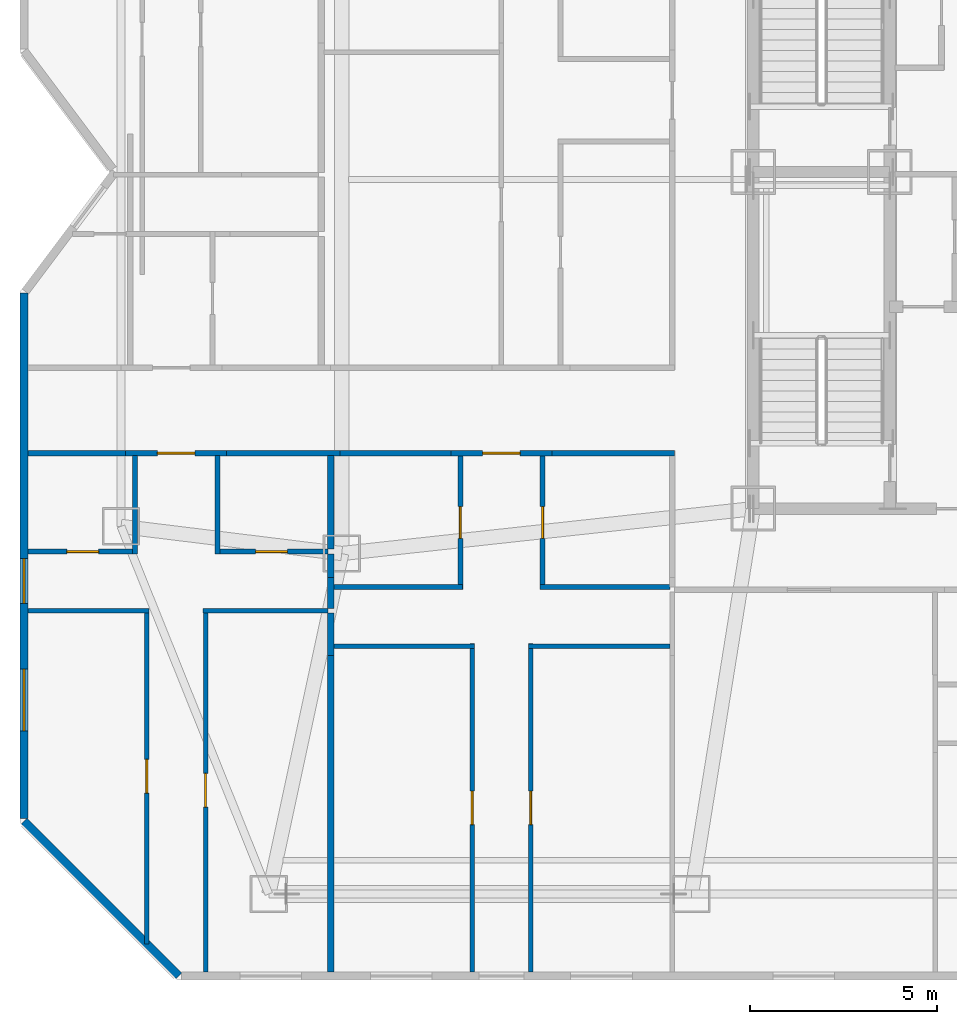
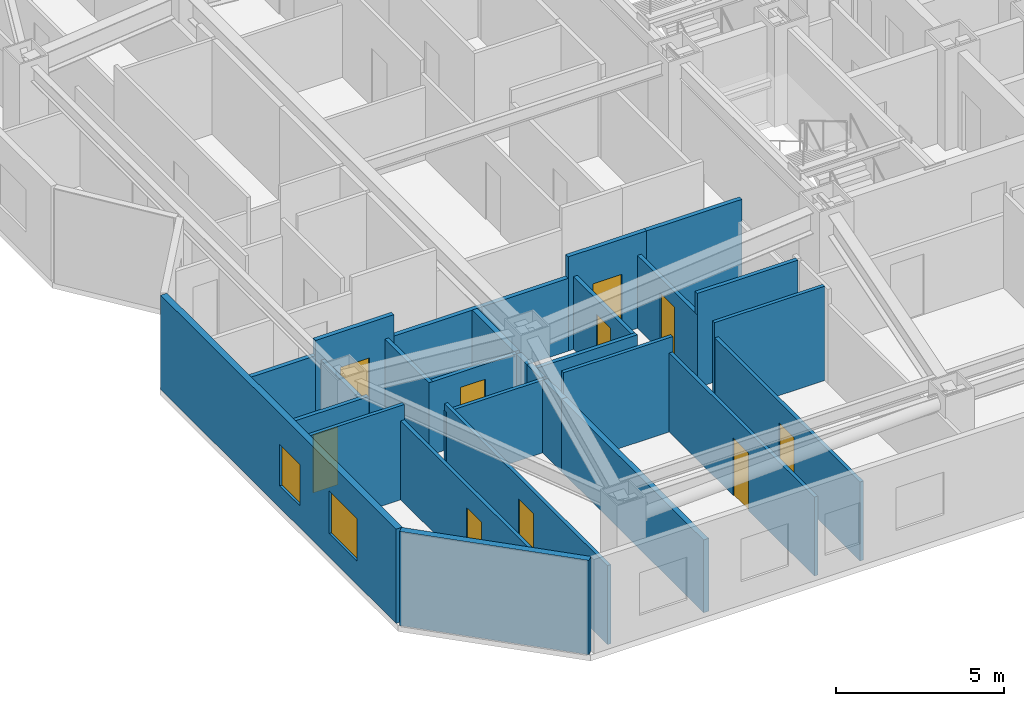
# One storey, part 5 of 13: 29 walls, 10 doors, 2 windows, 12 openings.
"""IFC4 building model written with IfcOpenShell, lengths in metres."""

from ifc_helpers import new_model, si_unit, direction, frame, frame_2d, origin, place, context, subcontext, project, spatial, rectangle, extrude, material, layer, layer_set, type_object, element, fill, save


model = new_model("IFC4")

# Units and contexts
model_context = context("Model", 3, precision=1e-05, world=origin(), true_north=direction((0.0, 1.0)))
body_context = subcontext(model_context, "Body", "Model", "MODEL_VIEW")
ifc_project = project(units=[si_unit("LENGTHUNIT", "METRE"), si_unit("AREAUNIT", "SQUARE_METRE"), si_unit("VOLUMEUNIT", "CUBIC_METRE"), si_unit("PLANEANGLEUNIT", "RADIAN"), si_unit("MASSUNIT", "GRAM", prefix="KILO")], contexts=[model_context])

# Site, building, storey
site_placement = place(None, origin())
site = spatial("IfcSite", under=ifc_project, at=site_placement, CompositionType="ELEMENT")
building_placement = place(site_placement, origin())
building = spatial("IfcBuilding", under=site, at=building_placement, Name="Khamvora Tower", CompositionType="ELEMENT")
storey_placement = place(building_placement, frame((0.0, 0.0, 105.550048828125)))
storey = spatial("IfcBuildingStorey", under=building, at=storey_placement, Name="L26", CompositionType="ELEMENT", Elevation=105.550048828125)

# Wall, opening, door
ifc_material_1 = material(Name="Fire-Rated Drywall and Steel Stud", Category="steel")
ifc_layer_1 = layer(ifc_material_1, 0.14990234375)
ifc_layer_set_1 = layer_set([ifc_layer_1], Name="Fire-Rated Drywall and Steel Stud")
wall_type_1 = type_object("IfcWallType", Name="WAL-CORR-150", PredefinedType="STANDARD", material=ifc_layer_set_1)
wall_1_placement = place(storey_placement, frame((14.924072265625, 20.485107421875, 0.0), z_axis=(0.0, 0.0, 1.0), x_axis=(-1.0, 0.0, 0.0)))
wall_1 = element("IfcWall", 1, at=wall_1_placement, inside=storey, type_object=wall_type_1, Name="L26 interior partition wall 009", PredefinedType="STANDARD", context=body_context, shape_type="SweptSolid", body=[
    extrude(rectangle(XDim=2.697998046875, YDim=0.14990234375, at=frame_2d((1.34912109375, 0.0))), origin(), (0.0, 0.0, 1.0), 3.429931640625),
])
opening_1_placement = place(wall_1_placement, frame((0.84912109375, 0.0, 0.0)))
opening_1 = element("IfcOpeningElement", 2, at=opening_1_placement, cuts=wall_1, Name="Opening D-U1", PredefinedType="OPENING", context=body_context, shape_type="SweptSolid", body=[
    extrude(rectangle(XDim=1.0, YDim=2.14990234375, at=frame_2d((0.5, 1.074951171875))), frame((0.0, 0.0849609375, 0.0), z_axis=(0.0, -1.0, 0.0), x_axis=(1.0, 0.0, 0.0)), (0.0, 0.0, 1.0), 0.169921875),
])
ifc_material_2 = material(Name="Powder-Coated Steel and Hardwood Leaf", Category="steel")
door_type_1 = type_object("IfcDoorType", Name="DOR-UNIT-1000", OperationType="NOTDEFINED", PredefinedType="DOOR", material=ifc_material_2)
door_1_placement = place(opening_1_placement, origin())
door_1 = element("IfcDoor", 3, at=door_1_placement, inside=storey, type_object=door_type_1, Name="L26 interior door COR-26WAH", OperationType="SINGLE_SWING_RIGHT", OverallHeight=2.14990234375, OverallWidth=1.0, PredefinedType="DOOR", context=body_context, shape_type="SweptSolid", body=[
    extrude(rectangle(XDim=1.0, YDim=2.14990234375, at=frame_2d((0.5, 1.074951171875))), frame((0.0, 0.02490234375, 0.0), z_axis=(0.0, -1.0, 0.0), x_axis=(1.0, 0.0, 0.0)), (0.0, 0.0, 1.0), 0.050048828125),
])
fill(opening_1, door_1)

# Walls
wall_2_placement = place(storey_placement, frame((12.22607421875, 20.485107421875, 0.0), z_axis=(0.0, 0.0, 1.0), x_axis=(-1.0, 0.0, 0.0)))
element("IfcWall", 4, at=wall_2_placement, inside=storey, type_object=wall_type_1, Name="L26 interior partition wall 010", PredefinedType="STANDARD", context=body_context, shape_type="SweptSolid", body=[
    extrude(rectangle(XDim=2.614013671875, YDim=0.14990234375, at=frame_2d((1.30712890625, 0.0))), origin(), (0.0, 0.0, 1.0), 2.8759765625),
])
wall_3_placement = place(storey_placement, frame((17.9541015625, 20.485107421875, 0.0), z_axis=(0.0, 0.0, 1.0), x_axis=(-1.0, 0.0, 0.0)))
element("IfcWall", 5, at=wall_3_placement, inside=storey, type_object=wall_type_1, Name="L26 interior partition wall 011", PredefinedType="STANDARD", context=body_context, shape_type="SweptSolid", body=[
    extrude(rectangle(XDim=3.030029296875, YDim=0.14990234375, at=frame_2d((1.51513671875, 0.0))), origin(), (0.0, 0.0, 1.0), 2.64697265625),
])

# Wall, opening, door
wall_4_placement = place(storey_placement, frame((23.618896484375, 20.485107421875, 0.0), z_axis=(0.0, 0.0, 1.0), x_axis=(-1.0, 0.0, 0.0)))
wall_4 = element("IfcWall", 6, at=wall_4_placement, inside=storey, type_object=wall_type_1, Name="L26 interior partition wall 013", PredefinedType="STANDARD", context=body_context, shape_type="SweptSolid", body=[
    extrude(rectangle(XDim=2.697998046875, YDim=0.14990234375, at=frame_2d((1.34912109375, 0.0))), origin(), (0.0, 0.0, 1.0), 3.429931640625),
])
opening_2_placement = place(wall_4_placement, frame((0.84912109375, 0.0, 0.0)))
opening_2 = element("IfcOpeningElement", 7, at=opening_2_placement, cuts=wall_4, Name="Opening D-U1", PredefinedType="OPENING", context=body_context, shape_type="SweptSolid", body=[
    extrude(rectangle(XDim=1.0, YDim=2.14990234375, at=frame_2d((0.5, 1.074951171875))), frame((0.0, 0.0849609375, 0.0), z_axis=(0.0, -1.0, 0.0), x_axis=(1.0, 0.0, 0.0)), (0.0, 0.0, 1.0), 0.169921875),
])
door_2_placement = place(opening_2_placement, origin())
door_2 = element("IfcDoor", 8, at=door_2_placement, inside=storey, type_object=door_type_1, Name="L26 interior door COR-26WBH", OperationType="SINGLE_SWING_LEFT", OverallHeight=2.14990234375, OverallWidth=1.0, PredefinedType="DOOR", context=body_context, shape_type="SweptSolid", body=[
    extrude(rectangle(XDim=1.0, YDim=2.14990234375, at=frame_2d((0.5, 1.074951171875))), frame((0.0, 0.02490234375, 0.0), z_axis=(0.0, -1.0, 0.0), x_axis=(1.0, 0.0, 0.0)), (0.0, 0.0, 1.0), 0.050048828125),
])
fill(opening_2, door_2)

# Walls
wall_5_placement = place(storey_placement, frame((20.9208984375, 20.485107421875, 0.0), z_axis=(0.0, 0.0, 1.0), x_axis=(-1.0, 0.0, 0.0)))
element("IfcWall", 9, at=wall_5_placement, inside=storey, type_object=wall_type_1, Name="L26 interior partition wall 014", PredefinedType="STANDARD", context=body_context, shape_type="SweptSolid", body=[
    extrude(rectangle(XDim=2.966796875, YDim=0.14990234375, at=frame_2d((1.4833984375, 0.0))), origin(), (0.0, 0.0, 1.0), 2.64697265625),
])
wall_6_placement = place(storey_placement, frame((26.89794921875, 20.485107421875, 0.0), z_axis=(0.0, 0.0, 1.0), x_axis=(-1.0, 0.0, 0.0)))
element("IfcWall", 10, at=wall_6_placement, inside=storey, type_object=wall_type_1, Name="L26 interior partition wall 016", PredefinedType="STANDARD", context=body_context, shape_type="SweptSolid", body=[
    extrude(rectangle(XDim=3.279052734375, YDim=0.14990234375, at=frame_2d((1.6396484375, 0.0))), origin(), (0.0, 0.0, 1.0), 3.429931640625),
])
ifc_material_3 = material(Name="Acoustic Double-Stud Fire Wall", Category="gypsum")
ifc_layer_2 = layer(ifc_material_3, 0.179931640625)
ifc_layer_set_2 = layer_set([ifc_layer_2], Name="Acoustic Double-Stud Fire Wall")
wall_type_2 = type_object("IfcWallType", Name="WAL-CORR-180", PredefinedType="STANDARD", material=ifc_layer_set_2)
wall_7_placement = place(storey_placement, frame((17.705078125, 17.154052734375, 0.0), z_axis=(0.0, 0.0, 1.0), x_axis=(0.0, -1.0, 0.0)))
element("IfcWall", 11, at=wall_7_placement, inside=storey, type_object=wall_type_2, Name="L26 interior partition wall 058", PredefinedType="STANDARD", context=body_context, shape_type="SweptSolid", body=[
    extrude(rectangle(XDim=0.818115234375, YDim=0.179931640625, at=frame_2d((0.4091796875, 0.0))), origin(), (0.0, 0.0, 1.0), 2.64697265625),
])
wall_8_placement = place(storey_placement, frame((17.705078125, 17.785888671875, 0.0), z_axis=(0.0, 0.0, 1.0), x_axis=(0.0, -1.0, 0.0)))
element("IfcWall", 12, at=wall_8_placement, inside=storey, type_object=wall_type_2, Name="L26 interior partition wall 059", PredefinedType="STANDARD", context=body_context, shape_type="SweptSolid", body=[
    extrude(rectangle(XDim=0.6318359375, YDim=0.179931640625, at=frame_2d((0.31591796875, 0.0))), origin(), (0.0, 0.0, 1.0), 2.64697265625),
])
wall_9_placement = place(storey_placement, frame((17.705078125, 20.41796875, 0.0), z_axis=(0.0, 0.0, 1.0), x_axis=(0.0, -1.0, 0.0)))
element("IfcWall", 13, at=wall_9_placement, inside=storey, type_object=wall_type_2, Name="L26 interior partition wall 060", PredefinedType="STANDARD", context=body_context, shape_type="SweptSolid", body=[
    extrude(rectangle(XDim=2.501953125, YDim=0.179931640625, at=frame_2d((1.2509765625, 0.0))), origin(), (0.0, 0.0, 1.0), 2.64697265625),
])
wall_10_placement = place(storey_placement, frame((17.705078125, 16.2060546875, 0.0), z_axis=(0.0, 0.0, 1.0), x_axis=(0.0, -1.0, 0.0)))
element("IfcWall", 14, at=wall_10_placement, inside=storey, type_object=wall_type_2, Name="L26 interior partition wall 061", PredefinedType="STANDARD", context=body_context, shape_type="SweptSolid", body=[
    extrude(rectangle(XDim=1.130126953125, YDim=0.179931640625, at=frame_2d((0.56494140625, 0.0))), origin(), (0.0, 0.0, 1.0), 2.64697265625),
])
wall_11_placement = place(storey_placement, frame((17.705078125, 15.075927734375, 0.0), z_axis=(0.0, 0.0, 1.0), x_axis=(0.0, -1.0, 0.0)))
element("IfcWall", 15, at=wall_11_placement, inside=storey, type_object=wall_type_2, Name="L26 interior partition wall 062", PredefinedType="STANDARD", context=body_context, shape_type="SweptSolid", body=[
    extrude(rectangle(XDim=8.4638671875, YDim=0.179931640625, at=frame_2d((4.23193359375, 0.0))), origin(), (0.0, 0.0, 1.0), 2.64697265625),
])
ifc_material_4 = material(Name="Precast concrete C40/50", Category="concrete")
ifc_layer_3 = layer(ifc_material_4, 0.219970703125)
ifc_layer_set_3 = layer_set([ifc_layer_3], Name="Precast concrete C40/50")
wall_type_3 = type_object("IfcWallType", Name="WAL-EXT-220", PredefinedType="STANDARD", material=ifc_layer_set_3)
wall_12_placement = place(storey_placement, frame((13.64599609375, 6.510009765625, 0.0), z_axis=(0.0, 0.0, 1.0), x_axis=(-0.707106781187, 0.707106781187, 0.0)))
element("IfcWall", 16, at=wall_12_placement, inside=storey, type_object=wall_type_3, Name="L26 exterior facade wall 01.1", PredefinedType="STANDARD", context=body_context, shape_type="SweptSolid", body=[
    extrude(rectangle(XDim=5.84912109375, YDim=0.219970703125, at=frame_2d((2.924560546875, 0.0))), origin(), (0.0, 0.0, 1.0), 3.429931640625),
])

# Wall, openings, windows
wall_13_placement = place(storey_placement, frame((9.510009765625, 10.717041015625, 0.0), z_axis=(0.0, 0.0, 1.0), x_axis=(0.0, 1.0, 0.0)))
wall_13 = element("IfcWall", 17, at=wall_13_placement, inside=storey, type_object=wall_type_3, Name="L26 exterior facade wall 02.1", PredefinedType="STANDARD", context=body_context, shape_type="SweptSolid", body=[
    extrude(rectangle(XDim=14.0458984375, YDim=0.219970703125, at=frame_2d((7.02294921875, 0.0))), origin(), (0.0, 0.0, 1.0), 3.429931640625),
])
opening_3_placement = place(wall_13_placement, frame((5.743896484375, 0.0, 0.800048828125)))
opening_3 = element("IfcOpeningElement", 18, at=opening_3_placement, cuts=wall_13, Name="Opening WN-03", PredefinedType="OPENING", context=body_context, shape_type="SweptSolid", body=[
    extrude(rectangle(XDim=1.199951171875, YDim=1.5, at=frame_2d((0.60009765625, 0.75))), frame((0.0, 0.119873046875, 0.0), z_axis=(0.0, -1.0, 0.0), x_axis=(1.0, 0.0, 0.0)), (0.0, 0.0, 1.0), 0.239990234375),
])
opening_4_placement = place(wall_13_placement, frame((2.344970703125, 0.0, 0.85009765625)))
opening_4 = element("IfcOpeningElement", 19, at=opening_4_placement, cuts=wall_13, Name="Opening WN-06", PredefinedType="OPENING", context=body_context, shape_type="SweptSolid", body=[
    extrude(rectangle(XDim=1.64990234375, YDim=1.550048828125, at=frame_2d((0.824951171875, 0.77490234375))), frame((0.0, 0.119873046875, 0.0), z_axis=(0.0, -1.0, 0.0), x_axis=(1.0, 0.0, 0.0)), (0.0, 0.0, 1.0), 0.239990234375),
])
ifc_material_5 = material(Name="Low-E Laminated Double Glazing", Category="glass")
window_type_1 = type_object("IfcWindowType", Name="WIN-VIS-1200x1500", PartitioningType="SINGLE_PANEL", PredefinedType="WINDOW", material=ifc_material_5)
window_1_placement = place(opening_3_placement, origin())
window_1 = element("IfcWindow", 20, at=window_1_placement, inside=storey, type_object=window_type_1, Name="L26 vision window 02.1.01", OverallHeight=1.5, OverallWidth=1.199951171875, PartitioningType="SINGLE_PANEL", PredefinedType="WINDOW", context=body_context, shape_type="SweptSolid", body=[
    extrude(rectangle(XDim=1.199951171875, YDim=1.5, at=frame_2d((0.60009765625, 0.75))), frame((0.0, 0.030029296875, 0.0), z_axis=(0.0, -1.0, 0.0), x_axis=(1.0, 0.0, 0.0)), (0.0, 0.0, 1.0), 0.06005859375),
])
fill(opening_3, window_1)
window_type_2 = type_object("IfcWindowType", Name="WIN-VIS-1650x1550", PartitioningType="SINGLE_PANEL", PredefinedType="WINDOW", material=ifc_material_5)
window_2_placement = place(opening_4_placement, origin())
window_2 = element("IfcWindow", 21, at=window_2_placement, inside=storey, type_object=window_type_2, Name="L26 vision window 02.1.02", OverallHeight=1.550048828125, OverallWidth=1.64990234375, PartitioningType="SINGLE_PANEL", PredefinedType="WINDOW", context=body_context, shape_type="SweptSolid", body=[
    extrude(rectangle(XDim=1.64990234375, YDim=1.550048828125, at=frame_2d((0.824951171875, 0.77490234375))), frame((0.0, 0.030029296875, 0.0), z_axis=(0.0, -1.0, 0.0), x_axis=(1.0, 0.0, 0.0)), (0.0, 0.0, 1.0), 0.06005859375),
])
fill(opening_4, window_2)

# Wall, opening, door
ifc_material_6 = material(Name="Gypsum Plasterboard Partition", Category="gypsum")
ifc_layer_4 = layer(ifc_material_6, 0.1201171875)
ifc_layer_set_4 = layer_set([ifc_layer_4], Name="Gypsum Plasterboard Partition")
wall_type_4 = type_object("IfcWallType", Name="WAL-PART-120", PredefinedType="PARTITIONING", material=ifc_layer_set_4)
wall_14_placement = place(storey_placement, frame((12.7900390625, 7.35693359375, 0.0), z_axis=(0.0, 0.0, 1.0), x_axis=(0.0, 1.0, 0.0)))
wall_14 = element("IfcWall", 22, at=wall_14_placement, inside=storey, type_object=wall_type_4, Name="L26 interior partition wall 054", PredefinedType="PARTITIONING", context=body_context, shape_type="SweptSolid", body=[
    extrude(rectangle(XDim=8.97900390625, YDim=0.1201171875, at=frame_2d((4.489501953125, 0.0))), origin(), (0.0, 0.0, 1.0), 2.8759765625),
])
opening_5_placement = place(wall_14_placement, frame((4.0390625, 0.0, 0.0)))
opening_5 = element("IfcOpeningElement", 23, at=opening_5_placement, cuts=wall_14, Name="Opening D-RM1", PredefinedType="OPENING", context=body_context, shape_type="SweptSolid", body=[
    extrude(rectangle(XDim=0.89990234375, YDim=2.10009765625, at=frame_2d((0.449951171875, 1.050048828125))), frame((0.0, 0.070068359375, 0.0), z_axis=(0.0, -1.0, 0.0), x_axis=(1.0, 0.0, 0.0)), (0.0, 0.0, 1.0), 0.14013671875),
])
door_type_2 = type_object("IfcDoorType", Name="DOR-ROOM-900", OperationType="NOTDEFINED", PredefinedType="DOOR", material=ifc_material_2)
door_3_placement = place(opening_5_placement, origin())
door_3 = element("IfcDoor", 24, at=door_3_placement, inside=storey, type_object=door_type_2, Name="L26 interior door 26WAH-26WAL", OperationType="SINGLE_SWING_LEFT", OverallHeight=2.10009765625, OverallWidth=0.89990234375, PredefinedType="DOOR", context=body_context, shape_type="SweptSolid", body=[
    extrude(rectangle(XDim=0.89990234375, YDim=2.10009765625, at=frame_2d((0.449951171875, 1.050048828125))), frame((0.0, 0.02490234375, 0.0), z_axis=(0.0, -1.0, 0.0), x_axis=(1.0, 0.0, 0.0)), (0.0, 0.0, 1.0), 0.050048828125),
])
fill(opening_5, door_3)

# Wall
wall_15_placement = place(storey_placement, frame((12.85498046875, 16.27099609375, 0.0), z_axis=(0.0, 0.0, 1.0), x_axis=(-1.0, 0.0, 0.0)))
element("IfcWall", 25, at=wall_15_placement, inside=storey, type_object=wall_type_4, Name="L26 interior partition wall 055", PredefinedType="PARTITIONING", context=body_context, shape_type="SweptSolid", body=[
    extrude(rectangle(XDim=3.242919921875, YDim=0.1201171875, at=frame_2d((1.62158203125, 0.0))), origin(), (0.0, 0.0, 1.0), 3.429931640625),
])

# Wall, opening, door
wall_16_placement = place(storey_placement, frame((14.360107421875, 16.3359375, 0.0), z_axis=(0.0, 0.0, 1.0), x_axis=(0.0, -1.0, 0.0)))
wall_16 = element("IfcWall", 26, at=wall_16_placement, inside=storey, type_object=wall_type_4, Name="L26 interior partition wall 056", PredefinedType="PARTITIONING", context=body_context, shape_type="SweptSolid", body=[
    extrude(rectangle(XDim=9.723876953125, YDim=0.1201171875, at=frame_2d((4.86181640625, 0.0))), origin(), (0.0, 0.0, 1.0), 2.8759765625),
])
opening_6_placement = place(wall_16_placement, frame((4.412109375, 0.0, 0.0)))
opening_6 = element("IfcOpeningElement", 27, at=opening_6_placement, cuts=wall_16, Name="Opening D-RM1", PredefinedType="OPENING", context=body_context, shape_type="SweptSolid", body=[
    extrude(rectangle(XDim=0.89990234375, YDim=2.10009765625, at=frame_2d((0.449951171875, 1.050048828125))), frame((0.0, 0.070068359375, 0.0), z_axis=(0.0, -1.0, 0.0), x_axis=(1.0, 0.0, 0.0)), (0.0, 0.0, 1.0), 0.14013671875),
])
door_4_placement = place(opening_6_placement, origin())
door_4 = element("IfcDoor", 28, at=door_4_placement, inside=storey, type_object=door_type_2, Name="L26 interior door 26WAH-26WAR2", OperationType="SINGLE_SWING_RIGHT", OverallHeight=2.10009765625, OverallWidth=0.89990234375, PredefinedType="DOOR", context=body_context, shape_type="SweptSolid", body=[
    extrude(rectangle(XDim=0.89990234375, YDim=2.10009765625, at=frame_2d((0.449951171875, 1.050048828125))), frame((0.0, 0.02490234375, 0.0), z_axis=(0.0, -1.0, 0.0), x_axis=(1.0, 0.0, 0.0)), (0.0, 0.0, 1.0), 0.050048828125),
])
fill(opening_6, door_4)

# Wall
wall_17_placement = place(storey_placement, frame((17.639892578125, 16.27099609375, 0.0), z_axis=(0.0, 0.0, 1.0), x_axis=(-1.0, 0.0, 0.0)))
element("IfcWall", 29, at=wall_17_placement, inside=storey, type_object=wall_type_4, Name="L26 interior partition wall 057", PredefinedType="PARTITIONING", context=body_context, shape_type="SweptSolid", body=[
    extrude(rectangle(XDim=3.344970703125, YDim=0.1201171875, at=frame_2d((1.67236328125, 0.0))), origin(), (0.0, 0.0, 1.0), 2.64697265625),
])

# Wall, opening, door
wall_18_placement = place(storey_placement, frame((21.485107421875, 6.612060546875, 0.0), z_axis=(0.0, 0.0, 1.0), x_axis=(0.0, 1.0, 0.0)))
wall_18 = element("IfcWall", 30, at=wall_18_placement, inside=storey, type_object=wall_type_4, Name="L26 interior partition wall 067", PredefinedType="PARTITIONING", context=body_context, shape_type="SweptSolid", body=[
    extrude(rectangle(XDim=8.77783203125, YDim=0.1201171875, at=frame_2d((4.388916015625, 0.0))), origin(), (0.0, 0.0, 1.0), 2.8759765625),
])
opening_7_placement = place(wall_18_placement, frame((3.93896484375, 0.0, 0.0)))
opening_7 = element("IfcOpeningElement", 31, at=opening_7_placement, cuts=wall_18, Name="Opening D-RM1", PredefinedType="OPENING", context=body_context, shape_type="SweptSolid", body=[
    extrude(rectangle(XDim=0.89990234375, YDim=2.10009765625, at=frame_2d((0.449951171875, 1.050048828125))), frame((0.0, 0.070068359375, 0.0), z_axis=(0.0, -1.0, 0.0), x_axis=(1.0, 0.0, 0.0)), (0.0, 0.0, 1.0), 0.14013671875),
])
door_5_placement = place(opening_7_placement, origin())
door_5 = element("IfcDoor", 32, at=door_5_placement, inside=storey, type_object=door_type_2, Name="L26 interior door 26WBH-26WBL", OperationType="SINGLE_SWING_LEFT", OverallHeight=2.10009765625, OverallWidth=0.89990234375, PredefinedType="DOOR", context=body_context, shape_type="SweptSolid", body=[
    extrude(rectangle(XDim=0.89990234375, YDim=2.10009765625, at=frame_2d((0.449951171875, 1.050048828125))), frame((0.0, 0.02490234375, 0.0), z_axis=(0.0, -1.0, 0.0), x_axis=(1.0, 0.0, 0.0)), (0.0, 0.0, 1.0), 0.050048828125),
])
fill(opening_7, door_5)

# Walls
wall_19_placement = place(storey_placement, frame((21.550048828125, 15.324951171875, 0.0), z_axis=(0.0, 0.0, 1.0), x_axis=(-1.0, 0.0, 0.0)))
element("IfcWall", 33, at=wall_19_placement, inside=storey, type_object=wall_type_4, Name="L26 interior partition wall 068", PredefinedType="PARTITIONING", context=body_context, shape_type="SweptSolid", body=[
    extrude(rectangle(XDim=3.762939453125, YDim=0.1201171875, at=frame_2d((1.88134765625, 0.0))), origin(), (0.0, 0.0, 1.0), 3.429931640625),
])
wall_20_placement = place(storey_placement, frame((26.781005859375, 15.324951171875, 0.0), z_axis=(0.0, 0.0, 1.0), x_axis=(-1.0, 0.0, 0.0)))
element("IfcWall", 34, at=wall_20_placement, inside=storey, type_object=wall_type_4, Name="L26 interior partition wall 069", PredefinedType="PARTITIONING", context=body_context, shape_type="SweptSolid", body=[
    extrude(rectangle(XDim=3.791015625, YDim=0.1201171875, at=frame_2d((1.8955078125, 0.0))), origin(), (0.0, 0.0, 1.0), 3.429931640625),
])

# Wall, opening, door
wall_21_placement = place(storey_placement, frame((23.054931640625, 15.389892578125, 0.0), z_axis=(0.0, 0.0, 1.0), x_axis=(0.0, -1.0, 0.0)))
wall_21 = element("IfcWall", 35, at=wall_21_placement, inside=storey, type_object=wall_type_4, Name="L26 interior partition wall 070", PredefinedType="PARTITIONING", context=body_context, shape_type="SweptSolid", body=[
    extrude(rectangle(XDim=8.77783203125, YDim=0.1201171875, at=frame_2d((4.388916015625, 0.0))), origin(), (0.0, 0.0, 1.0), 2.8759765625),
])
opening_8_placement = place(wall_21_placement, frame((3.93896484375, 0.0, 0.0)))
opening_8 = element("IfcOpeningElement", 36, at=opening_8_placement, cuts=wall_21, Name="Opening D-RM1", PredefinedType="OPENING", context=body_context, shape_type="SweptSolid", body=[
    extrude(rectangle(XDim=0.89990234375, YDim=2.10009765625, at=frame_2d((0.449951171875, 1.050048828125))), frame((0.0, 0.070068359375, 0.0), z_axis=(0.0, -1.0, 0.0), x_axis=(1.0, 0.0, 0.0)), (0.0, 0.0, 1.0), 0.14013671875),
])
door_6_placement = place(opening_8_placement, origin())
door_6 = element("IfcDoor", 37, at=door_6_placement, inside=storey, type_object=door_type_2, Name="L26 interior door 26WBH-26WBR2", OperationType="SINGLE_SWING_RIGHT", OverallHeight=2.10009765625, OverallWidth=0.89990234375, PredefinedType="DOOR", context=body_context, shape_type="SweptSolid", body=[
    extrude(rectangle(XDim=0.89990234375, YDim=2.10009765625, at=frame_2d((0.449951171875, 1.050048828125))), frame((0.0, 0.02490234375, 0.0), z_axis=(0.0, -1.0, 0.0), x_axis=(1.0, 0.0, 0.0)), (0.0, 0.0, 1.0), 0.050048828125),
])
fill(opening_8, door_6)

ifc_material_7 = material(Name="Moisture-Resistant Plasterboard Partition", Category="gypsum")
ifc_layer_5 = layer(ifc_material_7, 0.135009765625)
ifc_layer_set_5 = layer_set([ifc_layer_5], Name="Moisture-Resistant Plasterboard Partition")
wall_type_5 = type_object("IfcWallType", Name="WAL-WET-135", PredefinedType="PARTITIONING", material=ifc_layer_set_5)
wall_22_placement = place(storey_placement, frame((9.612060546875, 17.85107421875, 0.0), z_axis=(0.0, 0.0, 1.0), x_axis=(1.0, 0.0, 0.0)))
wall_22 = element("IfcWall", 38, at=wall_22_placement, inside=storey, type_object=wall_type_5, Name="L26 interior partition wall 050", PredefinedType="PARTITIONING", context=body_context, shape_type="SweptSolid", body=[
    extrude(rectangle(XDim=2.927978515625, YDim=0.135009765625, at=frame_2d((1.4638671875, 0.0))), origin(), (0.0, 0.0, 1.0), 2.8759765625),
])
opening_9_placement = place(wall_22_placement, frame((1.0390625, 0.0, 0.0)))
opening_9 = element("IfcOpeningElement", 39, at=opening_9_placement, cuts=wall_22, Name="Opening D-WC1", PredefinedType="OPENING", context=body_context, shape_type="SweptSolid", body=[
    extrude(rectangle(XDim=0.85009765625, YDim=2.10009765625, at=frame_2d((0.425048828125, 1.050048828125))), frame((0.0, 0.077392578125, 0.0), z_axis=(0.0, -1.0, 0.0), x_axis=(1.0, 0.0, 0.0)), (0.0, 0.0, 1.0), 0.155029296875),
])
door_type_3 = type_object("IfcDoorType", Name="DOR-WET-850", OperationType="NOTDEFINED", PredefinedType="DOOR", material=ifc_material_2)
door_7_placement = place(opening_9_placement, origin())
door_7 = element("IfcDoor", 40, at=door_7_placement, inside=storey, type_object=door_type_3, Name="L26 interior door 26WAH-26WAB", OperationType="SINGLE_SWING_LEFT", OverallHeight=2.10009765625, OverallWidth=0.85009765625, PredefinedType="DOOR", context=body_context, shape_type="SweptSolid", body=[
    extrude(rectangle(XDim=0.85009765625, YDim=2.10009765625, at=frame_2d((0.425048828125, 1.050048828125))), frame((0.0, 0.02490234375, 0.0), z_axis=(0.0, -1.0, 0.0), x_axis=(1.0, 0.0, 0.0)), (0.0, 0.0, 1.0), 0.050048828125),
])
fill(opening_9, door_7)

# Walls
for number, where, z_axis, x_axis, name in (
    (41, (12.47509765625, 17.785888671875, 0.0), (0.0, 0.0, 1.0), (0.0, 1.0, 0.0), "L26 interior partition wall 051"),
    (42, (14.675048828125, 20.41796875, 0.0), (0.0, 0.0, 1.0), (0.0, -1.0, 0.0), "L26 interior partition wall 052"),
):
    element("IfcWall", number, at=place(storey_placement, frame(where, z_axis=z_axis, x_axis=x_axis)), inside=storey, type_object=wall_type_5, Name=name, PredefinedType="PARTITIONING", context=body_context, shape_type="SweptSolid", body=[
        extrude(rectangle(XDim=2.632080078125, YDim=0.135009765625, at=frame_2d((1.31591796875, 0.0))), origin(), (0.0, 0.0, 1.0), 2.64697265625),
    ])

# Wall, opening, door
wall_23_placement = place(storey_placement, frame((14.610107421875, 17.85107421875, 0.0), z_axis=(0.0, 0.0, 1.0), x_axis=(1.0, 0.0, 0.0)))
wall_23 = element("IfcWall", 43, at=wall_23_placement, inside=storey, type_object=wall_type_5, Name="L26 interior partition wall 053", PredefinedType="PARTITIONING", context=body_context, shape_type="SweptSolid", body=[
    extrude(rectangle(XDim=3.02978515625, YDim=0.135009765625, at=frame_2d((1.514892578125, 0.0))), origin(), (0.0, 0.0, 1.0), 2.64697265625),
])
opening_10_placement = place(wall_23_placement, frame((1.090087890625, 0.0, 0.0)))
opening_10 = element("IfcOpeningElement", 44, at=opening_10_placement, cuts=wall_23, Name="Opening D-RM2", PredefinedType="OPENING", context=body_context, shape_type="SweptSolid", body=[
    extrude(rectangle(XDim=0.85009765625, YDim=2.10009765625, at=frame_2d((0.425048828125, 1.050048828125))), frame((0.0, 0.077392578125, 0.0), z_axis=(0.0, -1.0, 0.0), x_axis=(1.0, 0.0, 0.0)), (0.0, 0.0, 1.0), 0.155029296875),
])
door_type_4 = type_object("IfcDoorType", Name="DOR-ROOM-850", OperationType="NOTDEFINED", PredefinedType="DOOR", material=ifc_material_2)
door_8_placement = place(opening_10_placement, origin())
door_8 = element("IfcDoor", 45, at=door_8_placement, inside=storey, type_object=door_type_4, Name="L26 interior door 26WAH-26WAK", OperationType="SINGLE_SWING_LEFT", OverallHeight=2.10009765625, OverallWidth=0.85009765625, PredefinedType="DOOR", context=body_context, shape_type="SweptSolid", body=[
    extrude(rectangle(XDim=0.85009765625, YDim=2.10009765625, at=frame_2d((0.425048828125, 1.050048828125))), frame((0.0, 0.02490234375, 0.0), z_axis=(0.0, -1.0, 0.0), x_axis=(1.0, 0.0, 0.0)), (0.0, 0.0, 1.0), 0.050048828125),
])
fill(opening_10, door_8)

# Wall
wall_24_placement = place(storey_placement, frame((17.787109375, 16.905029296875, 0.0), z_axis=(0.0, 0.0, 1.0), x_axis=(1.0, 0.0, 0.0)))
element("IfcWall", 46, at=wall_24_placement, inside=storey, type_object=wall_type_5, Name="L26 interior partition wall 063", PredefinedType="PARTITIONING", context=body_context, shape_type="SweptSolid", body=[
    extrude(rectangle(XDim=3.447998046875, YDim=0.135009765625, at=frame_2d((1.72412109375, 0.0))), origin(), (0.0, 0.0, 1.0), 2.64697265625),
])

# Wall, opening, door
wall_25_placement = place(storey_placement, frame((21.169921875, 16.840087890625, 0.0), z_axis=(0.0, 0.0, 1.0), x_axis=(0.0, 1.0, 0.0)))
wall_25 = element("IfcWall", 47, at=wall_25_placement, inside=storey, type_object=wall_type_5, Name="L26 interior partition wall 064", PredefinedType="PARTITIONING", context=body_context, shape_type="SweptSolid", body=[
    extrude(rectangle(XDim=3.577880859375, YDim=0.135009765625, at=frame_2d((1.7890625, 0.0))), origin(), (0.0, 0.0, 1.0), 2.64697265625),
])
opening_11_placement = place(wall_25_placement, frame((1.364013671875, 0.0, 0.0)))
opening_11 = element("IfcOpeningElement", 48, at=opening_11_placement, cuts=wall_25, Name="Opening D-WC1", PredefinedType="OPENING", context=body_context, shape_type="SweptSolid", body=[
    extrude(rectangle(XDim=0.85009765625, YDim=2.10009765625, at=frame_2d((0.425048828125, 1.050048828125))), frame((0.0, 0.077392578125, 0.0), z_axis=(0.0, -1.0, 0.0), x_axis=(1.0, 0.0, 0.0)), (0.0, 0.0, 1.0), 0.155029296875),
])
door_9_placement = place(opening_11_placement, origin())
door_9 = element("IfcDoor", 49, at=door_9_placement, inside=storey, type_object=door_type_3, Name="L26 interior door 26WBH-26WBB", OperationType="SINGLE_SWING_LEFT", OverallHeight=2.10009765625, OverallWidth=0.85009765625, PredefinedType="DOOR", context=body_context, shape_type="SweptSolid", body=[
    extrude(rectangle(XDim=0.85009765625, YDim=2.10009765625, at=frame_2d((0.425048828125, 1.050048828125))), frame((0.0, 0.02490234375, 0.0), z_axis=(0.0, -1.0, 0.0), x_axis=(1.0, 0.0, 0.0)), (0.0, 0.0, 1.0), 0.050048828125),
])
fill(opening_11, door_9)

wall_26_placement = place(storey_placement, frame((23.3701171875, 20.41796875, 0.0), z_axis=(0.0, 0.0, 1.0), x_axis=(0.0, -1.0, 0.0)))
wall_26 = element("IfcWall", 50, at=wall_26_placement, inside=storey, type_object=wall_type_5, Name="L26 interior partition wall 065", PredefinedType="PARTITIONING", context=body_context, shape_type="SweptSolid", body=[
    extrude(rectangle(XDim=3.577880859375, YDim=0.135009765625, at=frame_2d((1.7890625, 0.0))), origin(), (0.0, 0.0, 1.0), 2.64697265625),
])
opening_12_placement = place(wall_26_placement, frame((1.364013671875, 0.0, 0.0)))
opening_12 = element("IfcOpeningElement", 51, at=opening_12_placement, cuts=wall_26, Name="Opening D-RM2", PredefinedType="OPENING", context=body_context, shape_type="SweptSolid", body=[
    extrude(rectangle(XDim=0.85009765625, YDim=2.10009765625, at=frame_2d((0.425048828125, 1.050048828125))), frame((0.0, 0.077392578125, 0.0), z_axis=(0.0, -1.0, 0.0), x_axis=(1.0, 0.0, 0.0)), (0.0, 0.0, 1.0), 0.155029296875),
])
door_10_placement = place(opening_12_placement, origin())
door_10 = element("IfcDoor", 52, at=door_10_placement, inside=storey, type_object=door_type_4, Name="L26 interior door 26WBH-26WBK", OperationType="SINGLE_SWING_RIGHT", OverallHeight=2.10009765625, OverallWidth=0.85009765625, PredefinedType="DOOR", context=body_context, shape_type="SweptSolid", body=[
    extrude(rectangle(XDim=0.85009765625, YDim=2.10009765625, at=frame_2d((0.425048828125, 1.050048828125))), frame((0.0, 0.02490234375, 0.0), z_axis=(0.0, -1.0, 0.0), x_axis=(1.0, 0.0, 0.0)), (0.0, 0.0, 1.0), 0.050048828125),
])
fill(opening_12, door_10)

# Wall
wall_27_placement = place(storey_placement, frame((23.304931640625, 16.905029296875, 0.0), z_axis=(0.0, 0.0, 1.0), x_axis=(1.0, 0.0, 0.0)))
element("IfcWall", 53, at=wall_27_placement, inside=storey, type_object=wall_type_5, Name="L26 interior partition wall 066", PredefinedType="PARTITIONING", context=body_context, shape_type="SweptSolid", body=[
    extrude(rectangle(XDim=3.465087890625, YDim=0.135009765625, at=frame_2d((1.732421875, 0.0))), origin(), (0.0, 0.0, 1.0), 3.429931640625),
])

save(model, "model.ifc")
